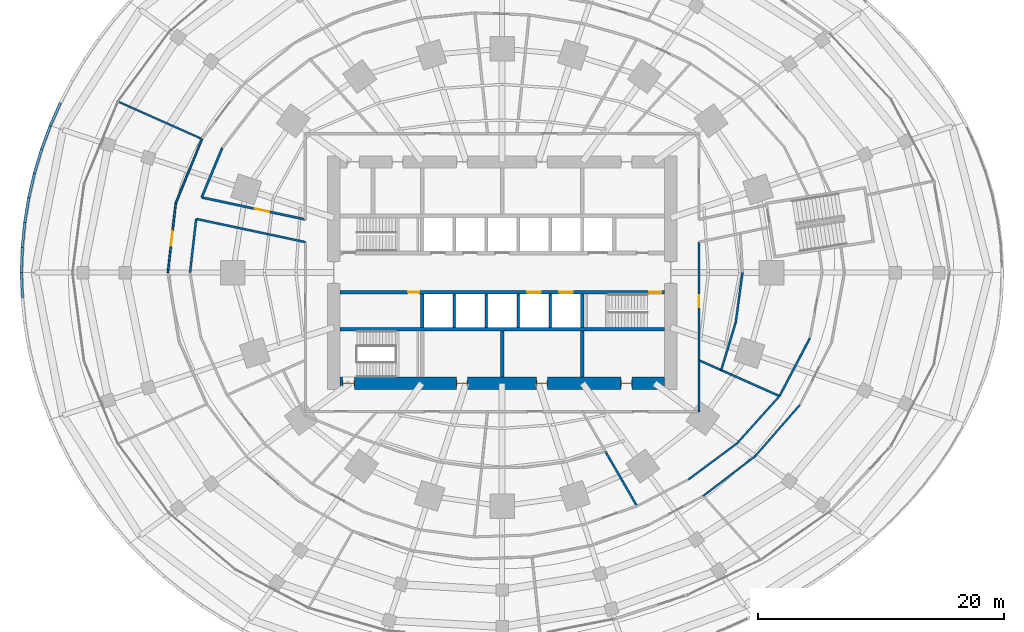
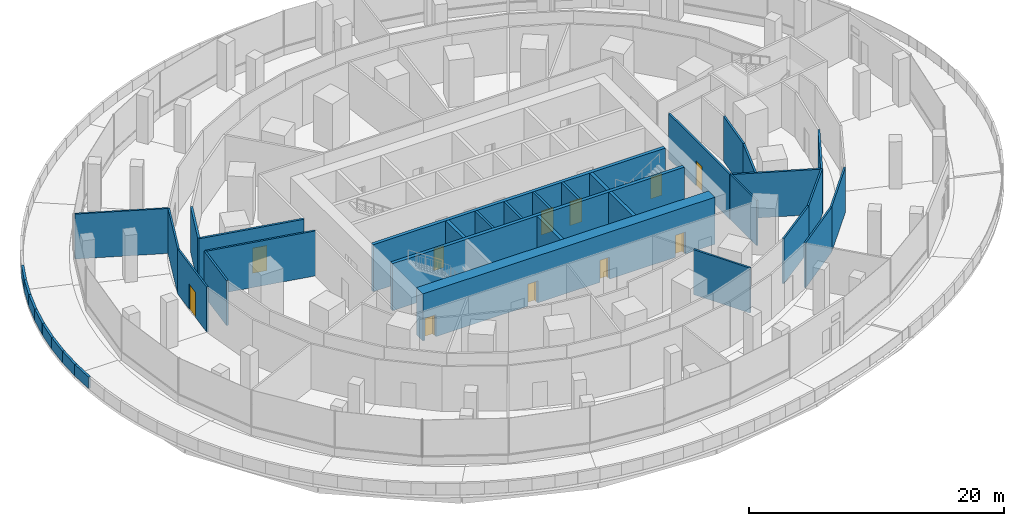
# One storey, part 20 of 27: 37 walls, 11 doors, 11 openings.
"""IFC4 building model written with IfcOpenShell, lengths in metres."""

from ifc_helpers import new_model, si_unit, direction, frame, frame_2d, origin, place, context, subcontext, project, spatial, rectangle, extrude, material, layer, layer_set, type_object, element, fill, save


model = new_model("IFC4")

# Units and contexts
model_context = context("Model", 3, precision=1e-05, world=origin(), true_north=direction((0.0, 1.0)))
body_context = subcontext(model_context, "Body", "Model", "MODEL_VIEW")
ifc_project = project(units=[si_unit("LENGTHUNIT", "METRE"), si_unit("AREAUNIT", "SQUARE_METRE"), si_unit("VOLUMEUNIT", "CUBIC_METRE"), si_unit("PLANEANGLEUNIT", "RADIAN"), si_unit("MASSUNIT", "GRAM", prefix="KILO")], contexts=[model_context])

# Site, building, storey
site_placement = place(None, origin())
site = spatial("IfcSite", under=ifc_project, at=site_placement, CompositionType="ELEMENT")
building_placement = place(site_placement, origin())
building = spatial("IfcBuilding", under=site, at=building_placement, Name="Marramba Exchange Tower", CompositionType="ELEMENT")
storey_placement = place(building_placement, frame((0.0, 0.0, 10.60009765625)))
storey = spatial("IfcBuildingStorey", under=building, at=storey_placement, Name="L02", CompositionType="ELEMENT", Elevation=10.60009765625)

# Walls
ifc_material_1 = material(Name="Plasterboard on staggered double steel studs, acoustic insulation", Category="steel")
ifc_layer_1 = layer(ifc_material_1, 0.169921875)
ifc_layer_set_1 = layer_set([ifc_layer_1], Name="Acoustic partition 170")
wall_type_1 = type_object("IfcWallType", Name="Acoustic partition 170", PredefinedType="PARTITIONING", material=ifc_layer_set_1)
wall_1_placement = place(storey_placement, frame((10.9599609375, -18.983154296875, 0.0), z_axis=(0.0, 0.0, 1.0), x_axis=(-0.500001430823, 0.866024577697, 0.0)))
element("IfcWall", 1, at=wall_1_placement, inside=storey, type_object=wall_type_1, Name="Acoustic partition L02 39", PredefinedType="PARTITIONING", context=body_context, shape_type="SweptSolid", body=[
    extrude(rectangle(XDim=5.1259765625, YDim=0.169921875, at=frame_2d((2.56298828125, 0.0))), origin(), (0.0, 0.0, 1.0), 4.2998046875),
])
wall_2_placement = place(storey_placement, frame((16.0, -7.123779296875, 0.0), z_axis=(0.0, 0.0, 1.0), x_axis=(0.913552901279, -0.406719923982, 0.0)))
element("IfcWall", 2, at=wall_2_placement, inside=storey, type_object=wall_type_1, Name="Acoustic partition L02 49", PredefinedType="PARTITIONING", context=body_context, shape_type="SweptSolid", body=[
    extrude(rectangle(XDim=7.167236328125, YDim=0.169921875, at=frame_2d((3.58349609375, 0.0))), origin(), (0.0, 0.0, 1.0), 4.2998046875),
])
wall_3_placement = place(storey_placement, frame((18.989990234375, -4.03662109375, 0.0), z_axis=(0.0, 0.0, 1.0), x_axis=(-0.290562074662, -0.956856144239, 0.0)))
element("IfcWall", 3, at=wall_3_placement, inside=storey, type_object=wall_type_1, Name="Acoustic partition L02 50", PredefinedType="PARTITIONING", context=body_context, shape_type="SweptSolid", body=[
    extrude(rectangle(XDim=4.067626953125, YDim=0.169921875, at=frame_2d((2.03369140625, 0.0))), origin(), (0.0, 0.0, 1.0), 4.2998046875),
])
wall_4_placement = place(storey_placement, frame((25.022216796875, -5.318603515625, 0.0), z_axis=(0.0, 0.0, 1.0), x_axis=(-0.464318498757, -0.885668296662, 0.0)))
element("IfcWall", 4, at=wall_4_placement, inside=storey, type_object=wall_type_1, Name="Acoustic partition L02 52", PredefinedType="PARTITIONING", context=body_context, shape_type="SweptSolid", body=[
    extrude(rectangle(XDim=5.32958984375, YDim=0.169921875, at=frame_2d((2.664794921875, 0.0))), origin(), (0.0, 0.0, 1.0), 4.2998046875),
])

# Wall, opening, door
wall_5_placement = place(storey_placement, frame((16.0, -7.123779296875, 0.0), z_axis=(0.0, 0.0, 1.0), x_axis=(0.0, 1.0, 0.0)))
wall_5 = element("IfcWall", 5, at=wall_5_placement, inside=storey, type_object=wall_type_1, Name="Acoustic partition L02 53", PredefinedType="PARTITIONING", context=body_context, shape_type="SweptSolid", body=[
    extrude(rectangle(XDim=9.6044921875, YDim=0.169921875, at=frame_2d((4.80224609375, 0.0))), origin(), (0.0, 0.0, 1.0), 4.2998046875),
])
opening_1_placement = place(wall_5_placement, frame((4.302001953125, 0.0, 0.0)))
opening_1 = element("IfcOpeningElement", 6, at=opening_1_placement, cuts=wall_5, Name="Opening D9", PredefinedType="OPENING", context=body_context, shape_type="SweptSolid", body=[
    extrude(rectangle(XDim=1.0, YDim=2.39990234375, at=frame_2d((0.5, 1.199951171875))), frame((0.0, 0.094970703125, 0.0), z_axis=(0.0, -1.0, 0.0), x_axis=(1.0, 0.0, 0.0)), (0.0, 0.0, 1.0), 0.18994140625),
])
ifc_material_2 = material(Name="Timber door", Category="wood")
door_type_1 = type_object("IfcDoorType", Name="Room door 1000x2400", OperationType="SINGLE_SWING_LEFT", PredefinedType="DOOR", material=ifc_material_2)
door_1_placement = place(opening_1_placement, frame((1.0, 0.0, 0.0), z_axis=(0.0, 0.0, 1.0), x_axis=(-1.0, 0.0, 0.0)))
door_1 = element("IfcDoor", 7, at=door_1_placement, inside=storey, type_object=door_type_1, Name="D9 Interview Room L02", OperationType="SINGLE_SWING_LEFT", OverallHeight=2.39990234375, OverallWidth=1.0, PredefinedType="DOOR", context=body_context, shape_type="SweptSolid", body=[
    extrude(rectangle(XDim=1.0, YDim=2.39990234375, at=frame_2d((0.5, 1.199951171875))), frame((0.0, 0.025146484375, 0.0), z_axis=(0.0, -1.0, 0.0), x_axis=(1.0, 0.0, 0.0)), (0.0, 0.0, 1.0), 0.050048828125),
])
fill(opening_1, door_1)

# Walls
wall_6_placement = place(storey_placement, frame((19.5400390625, 0.0, 0.0), z_axis=(0.0, 0.0, 1.0), x_axis=(-0.135016930919, -0.990843291528, 0.0)))
element("IfcWall", 8, at=wall_6_placement, inside=storey, type_object=wall_type_1, Name="Acoustic partition L02 54", PredefinedType="PARTITIONING", context=body_context, shape_type="SweptSolid", body=[
    extrude(rectangle(XDim=4.073974609375, YDim=0.169921875, at=frame_2d((2.037109375, 0.0))), origin(), (0.0, 0.0, 1.0), 4.2998046875),
])
wall_7_placement = place(storey_placement, frame((-24.87841796875, 4.367919921875, 0.0), z_axis=(0.0, 0.0, 1.0), x_axis=(0.978146681327, -0.207916016242, 0.0)))
element("IfcWall", 9, at=wall_7_placement, inside=storey, type_object=wall_type_1, Name="Acoustic partition L02 105", PredefinedType="PARTITIONING", context=body_context, shape_type="SweptSolid", body=[
    extrude(rectangle(XDim=9.07666015625, YDim=0.169921875, at=frame_2d((4.538330078125, 0.0))), origin(), (0.0, 0.0, 1.0), 4.2998046875),
])
wall_8_placement = place(storey_placement, frame((-25.375, 0.0, 0.0), z_axis=(0.0, 0.0, 1.0), x_axis=(0.112960777867, 0.993599447798, 0.0)))
element("IfcWall", 10, at=wall_8_placement, inside=storey, type_object=wall_type_1, Name="Acoustic partition L02 107", PredefinedType="PARTITIONING", context=body_context, shape_type="SweptSolid", body=[
    extrude(rectangle(XDim=4.39599609375, YDim=0.169921875, at=frame_2d((2.197998046875, 0.0))), origin(), (0.0, 0.0, 1.0), 4.2998046875),
])
ifc_material_3 = material(Name="Concrete N50", Category="concrete")
ifc_layer_2 = layer(ifc_material_3, 0.199951171875)
ifc_layer_set_2 = layer_set([ifc_layer_2], Name="Core shaft wall 200")
wall_type_2 = type_object("IfcWallType", Name="Core shaft wall 200", PredefinedType="SHEAR", material=ifc_layer_set_2)
for number, where, z_axis, x_axis, name in (
    (11, (-3.89990234375, -1.75, 0.0), (0.0, 0.0, 1.0), (0.0, -1.0, 0.0), "Core wall SHS1 L02"),
    (12, (-1.300048828125, -1.75, 0.0), (0.0, 0.0, 1.0), (0.0, -1.0, 0.0), "Core wall SHS2 L02"),
    (13, (1.300048828125, -1.75, 0.0), (0.0, 0.0, 1.0), (0.0, -1.0, 0.0), "Core wall SHS3 L02"),
    (14, (3.89990234375, -1.75, 0.0), (0.0, 0.0, 1.0), (0.0, -1.0, 0.0), "Core wall SHS4 L02"),
):
    element("IfcWall", number, at=place(storey_placement, frame(where, z_axis=z_axis, x_axis=x_axis)), inside=storey, type_object=wall_type_2, Name=name, PredefinedType="SHEAR", context=body_context, shape_type="SweptSolid", body=[
        extrude(rectangle(XDim=2.699951171875, YDim=0.199951171875, at=frame_2d((1.35009765625, 0.0))), origin(), (0.0, 0.0, 1.0), 4.5),
    ])

# Wall, openings, doors
ifc_layer_3 = layer(ifc_material_3, 1.0)
ifc_layer_set_3 = layer_set([ifc_layer_3], Name="Core wall 1000")
wall_type_3 = type_object("IfcWallType", Name="Core wall 1000", PredefinedType="SHEAR", material=ifc_layer_set_3)
wall_9_placement = place(storey_placement, frame((-13.199951171875, -9.0, 0.0), z_axis=(0.0, 0.0, 1.0), x_axis=(1.0, 0.0, 0.0)))
wall_9 = element("IfcWall", 15, at=wall_9_placement, inside=storey, type_object=wall_type_3, Name="Core wall S L02", PredefinedType="SHEAR", context=body_context, shape_type="SweptSolid", body=[
    extrude(rectangle(XDim=26.39990234375, YDim=1.0, at=frame_2d((13.199951171875, 0.0))), origin(), (0.0, 0.0, 1.0), 4.5),
])
opening_2_placement = place(wall_9_placement, frame((0.199951171875, 0.0, 0.0)))
opening_2 = element("IfcOpeningElement", 16, at=opening_2_placement, cuts=wall_9, Name="Opening D2", PredefinedType="OPENING", context=body_context, shape_type="SweptSolid", body=[
    extrude(rectangle(XDim=1.0, YDim=2.10009765625, at=frame_2d((0.5, 1.050048828125))), frame((0.0, 0.510009765625, 0.0), z_axis=(0.0, -1.0, 0.0), x_axis=(1.0, 0.0, 0.0)), (0.0, 0.0, 1.0), 1.02001953125),
])
opening_3_placement = place(wall_9_placement, frame((9.5, 0.0, 0.0)))
opening_3 = element("IfcOpeningElement", 17, at=opening_3_placement, cuts=wall_9, Name="Opening D5", PredefinedType="OPENING", context=body_context, shape_type="SweptSolid", body=[
    extrude(rectangle(XDim=0.89990234375, YDim=2.10009765625, at=frame_2d((0.449951171875, 1.050048828125))), frame((0.0, 0.510009765625, 0.0), z_axis=(0.0, -1.0, 0.0), x_axis=(1.0, 0.0, 0.0)), (0.0, 0.0, 1.0), 1.02001953125),
])
opening_4_placement = place(wall_9_placement, frame((16.0, 0.0, 0.0)))
opening_4 = element("IfcOpeningElement", 18, at=opening_4_placement, cuts=wall_9, Name="Opening D5", PredefinedType="OPENING", context=body_context, shape_type="SweptSolid", body=[
    extrude(rectangle(XDim=0.89990234375, YDim=2.10009765625, at=frame_2d((0.449951171875, 1.050048828125))), frame((0.0, 0.510009765625, 0.0), z_axis=(0.0, -1.0, 0.0), x_axis=(1.0, 0.0, 0.0)), (0.0, 0.0, 1.0), 1.02001953125),
])
opening_5_placement = place(wall_9_placement, frame((22.85009765625, 0.0, 0.0)))
opening_5 = element("IfcOpeningElement", 19, at=opening_5_placement, cuts=wall_9, Name="Opening D5", PredefinedType="OPENING", context=body_context, shape_type="SweptSolid", body=[
    extrude(rectangle(XDim=0.89990234375, YDim=2.10009765625, at=frame_2d((0.449951171875, 1.050048828125))), frame((0.0, 0.510009765625, 0.0), z_axis=(0.0, -1.0, 0.0), x_axis=(1.0, 0.0, 0.0)), (0.0, 0.0, 1.0), 1.02001953125),
])
ifc_material_4 = material(Name="Steel-framed door", Category="steel")
door_type_2 = type_object("IfcDoorType", Name="Service door 900x2100", OperationType="SINGLE_SWING_LEFT", PredefinedType="DOOR", material=ifc_material_4)
door_2_placement = place(opening_3_placement, origin())
door_2 = element("IfcDoor", 20, at=door_2_placement, inside=storey, type_object=door_type_2, Name="D5 ahu L02", OperationType="SINGLE_SWING_RIGHT", OverallHeight=2.10009765625, OverallWidth=0.89990234375, PredefinedType="DOOR", context=body_context, shape_type="SweptSolid", body=[
    extrude(rectangle(XDim=0.81982421875, YDim=2.06005859375, at=frame_2d((0.449951171875, 1.030029296875))), frame((0.0, 0.02490234375, 0.0), z_axis=(0.0, -1.0, 0.0), x_axis=(1.0, 0.0, 0.0)), (0.0, 0.0, 1.0), 0.050048828125),
    extrude(rectangle(XDim=0.04, YDim=2.10009765625, at=frame_2d((0.02001953125, 1.050048828125))), frame((0.0, 0.25, 0.0), z_axis=(0.0, -1.0, 0.0), x_axis=(1.0, 0.0, 0.0)), (0.0, 0.0, 1.0), 0.5),
    extrude(rectangle(XDim=0.04, YDim=2.10009765625, at=frame_2d((0.8798828125, 1.050048828125))), frame((0.0, 0.25, 0.0), z_axis=(0.0, -1.0, 0.0), x_axis=(1.0, 0.0, 0.0)), (0.0, 0.0, 1.0), 0.5),
    extrude(rectangle(XDim=0.81982421875, YDim=0.04, at=frame_2d((0.449951171875, 2.080078125))), frame((0.0, 0.25, 0.0), z_axis=(0.0, -1.0, 0.0), x_axis=(1.0, 0.0, 0.0)), (0.0, 0.0, 1.0), 0.5),
])
fill(opening_3, door_2)
door_3_placement = place(opening_4_placement, origin())
door_3 = element("IfcDoor", 21, at=door_3_placement, inside=storey, type_object=door_type_2, Name="D5 switch L02", OperationType="SINGLE_SWING_RIGHT", OverallHeight=2.10009765625, OverallWidth=0.89990234375, PredefinedType="DOOR", context=body_context, shape_type="SweptSolid", body=[
    extrude(rectangle(XDim=0.81982421875, YDim=2.06005859375, at=frame_2d((0.449951171875, 1.030029296875))), frame((0.0, 0.02490234375, 0.0), z_axis=(0.0, -1.0, 0.0), x_axis=(1.0, 0.0, 0.0)), (0.0, 0.0, 1.0), 0.050048828125),
    extrude(rectangle(XDim=0.04, YDim=2.10009765625, at=frame_2d((0.02001953125, 1.050048828125))), frame((0.0, 0.25, 0.0), z_axis=(0.0, -1.0, 0.0), x_axis=(1.0, 0.0, 0.0)), (0.0, 0.0, 1.0), 0.5),
    extrude(rectangle(XDim=0.04, YDim=2.10009765625, at=frame_2d((0.8798828125, 1.050048828125))), frame((0.0, 0.25, 0.0), z_axis=(0.0, -1.0, 0.0), x_axis=(1.0, 0.0, 0.0)), (0.0, 0.0, 1.0), 0.5),
    extrude(rectangle(XDim=0.81982421875, YDim=0.04, at=frame_2d((0.449951171875, 2.080078125))), frame((0.0, 0.25, 0.0), z_axis=(0.0, -1.0, 0.0), x_axis=(1.0, 0.0, 0.0)), (0.0, 0.0, 1.0), 0.5),
])
fill(opening_4, door_3)
door_4_placement = place(opening_5_placement, origin())
door_4 = element("IfcDoor", 22, at=door_4_placement, inside=storey, type_object=door_type_2, Name="D5 cstore L02", OperationType="SINGLE_SWING_RIGHT", OverallHeight=2.10009765625, OverallWidth=0.89990234375, PredefinedType="DOOR", context=body_context, shape_type="SweptSolid", body=[
    extrude(rectangle(XDim=0.81982421875, YDim=2.06005859375, at=frame_2d((0.449951171875, 1.030029296875))), frame((0.0, 0.02490234375, 0.0), z_axis=(0.0, -1.0, 0.0), x_axis=(1.0, 0.0, 0.0)), (0.0, 0.0, 1.0), 0.050048828125),
    extrude(rectangle(XDim=0.04, YDim=2.10009765625, at=frame_2d((0.02001953125, 1.050048828125))), frame((0.0, 0.25, 0.0), z_axis=(0.0, -1.0, 0.0), x_axis=(1.0, 0.0, 0.0)), (0.0, 0.0, 1.0), 0.5),
    extrude(rectangle(XDim=0.04, YDim=2.10009765625, at=frame_2d((0.8798828125, 1.050048828125))), frame((0.0, 0.25, 0.0), z_axis=(0.0, -1.0, 0.0), x_axis=(1.0, 0.0, 0.0)), (0.0, 0.0, 1.0), 0.5),
    extrude(rectangle(XDim=0.81982421875, YDim=0.04, at=frame_2d((0.449951171875, 2.080078125))), frame((0.0, 0.25, 0.0), z_axis=(0.0, -1.0, 0.0), x_axis=(1.0, 0.0, 0.0)), (0.0, 0.0, 1.0), 0.5),
])
fill(opening_5, door_4)
door_type_3 = type_object("IfcDoorType", Name="Stair door 1000x2100", OperationType="SINGLE_SWING_LEFT", PredefinedType="DOOR", material=ifc_material_4)
door_5_placement = place(opening_2_placement, origin())
door_5 = element("IfcDoor", 23, at=door_5_placement, inside=storey, type_object=door_type_3, Name="D2 stair ST3 L02", OperationType="SINGLE_SWING_LEFT", OverallHeight=2.10009765625, OverallWidth=1.0, PredefinedType="DOOR", context=body_context, shape_type="SweptSolid", body=[
    extrude(rectangle(XDim=0.919921875, YDim=2.06005859375, at=frame_2d((0.5, 1.030029296875))), frame((0.0, 0.02490234375, 0.0), z_axis=(0.0, -1.0, 0.0), x_axis=(1.0, 0.0, 0.0)), (0.0, 0.0, 1.0), 0.050048828125),
    extrude(rectangle(XDim=0.04, YDim=2.10009765625, at=frame_2d((0.02001953125, 1.050048828125))), frame((0.0, 0.25, 0.0), z_axis=(0.0, -1.0, 0.0), x_axis=(1.0, 0.0, 0.0)), (0.0, 0.0, 1.0), 0.5),
    extrude(rectangle(XDim=0.04, YDim=2.10009765625, at=frame_2d((0.97998046875, 1.050048828125))), frame((0.0, 0.25, 0.0), z_axis=(0.0, -1.0, 0.0), x_axis=(1.0, 0.0, 0.0)), (0.0, 0.0, 1.0), 0.5),
    extrude(rectangle(XDim=0.919921875, YDim=0.04, at=frame_2d((0.5, 2.080078125))), frame((0.0, 0.25, 0.0), z_axis=(0.0, -1.0, 0.0), x_axis=(1.0, 0.0, 0.0)), (0.0, 0.0, 1.0), 0.5),
])
fill(opening_2, door_5)

ifc_layer_4 = layer(ifc_material_3, 0.300048828125)
ifc_layer_set_4 = layer_set([ifc_layer_4], Name="Core wall 300")
wall_type_4 = type_object("IfcWallType", Name="Core wall 300", PredefinedType="SHEAR", material=ifc_layer_set_4)
wall_10_placement = place(storey_placement, frame((-13.199951171875, -1.60009765625, 0.0), z_axis=(0.0, 0.0, 1.0), x_axis=(1.0, 0.0, 0.0)))
wall_10 = element("IfcWall", 24, at=wall_10_placement, inside=storey, type_object=wall_type_4, Name="Core wall LS L02", PredefinedType="SHEAR", context=body_context, shape_type="SweptSolid", body=[
    extrude(rectangle(XDim=26.39990234375, YDim=0.300048828125, at=frame_2d((13.199951171875, 0.0))), origin(), (0.0, 0.0, 1.0), 4.5),
])
opening_6_placement = place(wall_10_placement, frame((25.14990234375, 0.0, 0.0)))
opening_6 = element("IfcOpeningElement", 25, at=opening_6_placement, cuts=wall_10, Name="Opening D2", PredefinedType="OPENING", context=body_context, shape_type="SweptSolid", body=[
    extrude(rectangle(XDim=1.0, YDim=2.10009765625, at=frame_2d((0.5, 1.050048828125))), frame((0.0, 0.159912109375, 0.0), z_axis=(0.0, -1.0, 0.0), x_axis=(1.0, 0.0, 0.0)), (0.0, 0.0, 1.0), 0.320068359375),
])
opening_7_placement = place(wall_10_placement, frame((15.25, 0.0, 0.0)))
opening_7 = element("IfcOpeningElement", 26, at=opening_7_placement, cuts=wall_10, Name="Opening LD2", PredefinedType="OPENING", context=body_context, shape_type="SweptSolid", body=[
    extrude(rectangle(XDim=1.10009765625, YDim=2.300048828125, at=frame_2d((0.550048828125, 1.14990234375))), frame((0.0, 0.159912109375, 0.0), z_axis=(0.0, -1.0, 0.0), x_axis=(1.0, 0.0, 0.0)), (0.0, 0.0, 1.0), 0.320068359375),
])
opening_8_placement = place(wall_10_placement, frame((17.85009765625, 0.0, 0.0)))
opening_8 = element("IfcOpeningElement", 27, at=opening_8_placement, cuts=wall_10, Name="Opening LD2", PredefinedType="OPENING", context=body_context, shape_type="SweptSolid", body=[
    extrude(rectangle(XDim=1.10009765625, YDim=2.300048828125, at=frame_2d((0.550048828125, 1.14990234375))), frame((0.0, 0.159912109375, 0.0), z_axis=(0.0, -1.0, 0.0), x_axis=(1.0, 0.0, 0.0)), (0.0, 0.0, 1.0), 0.320068359375),
])
opening_9_placement = place(wall_10_placement, frame((5.550048828125, 0.0, 0.0)))
opening_9 = element("IfcOpeningElement", 28, at=opening_9_placement, cuts=wall_10, Name="Opening D5", PredefinedType="OPENING", context=body_context, shape_type="SweptSolid", body=[
    extrude(rectangle(XDim=0.89990234375, YDim=2.10009765625, at=frame_2d((0.449951171875, 1.050048828125))), frame((0.0, 0.159912109375, 0.0), z_axis=(0.0, -1.0, 0.0), x_axis=(1.0, 0.0, 0.0)), (0.0, 0.0, 1.0), 0.320068359375),
])
door_type_4 = type_object("IfcDoorType", Name="Emergency lift landing door 1100x2300", OperationType="SLIDING_TO_LEFT", PredefinedType="DOOR", material=ifc_material_4)
door_6_placement = place(opening_7_placement, frame((1.10009765625, 0.0, 0.0), z_axis=(0.0, 0.0, 1.0), x_axis=(-1.0, 0.0, 0.0)))
door_6 = element("IfcDoor", 29, at=door_6_placement, inside=storey, type_object=door_type_4, Name="FL1 landing door L02", OperationType="SLIDING_TO_RIGHT", OverallHeight=2.300048828125, OverallWidth=1.10009765625, PredefinedType="DOOR", context=body_context, shape_type="SweptSolid", body=[
    extrude(rectangle(XDim=1.10009765625, YDim=2.300048828125, at=frame_2d((0.550048828125, 1.14990234375))), frame((0.0, 0.025146484375, 0.0), z_axis=(0.0, -1.0, 0.0), x_axis=(1.0, 0.0, 0.0)), (0.0, 0.0, 1.0), 0.050048828125),
])
fill(opening_7, door_6)
door_7_placement = place(opening_8_placement, frame((1.10009765625, 0.0, 0.0), z_axis=(0.0, 0.0, 1.0), x_axis=(-1.0, 0.0, 0.0)))
door_7 = element("IfcDoor", 30, at=door_7_placement, inside=storey, type_object=door_type_4, Name="FL2 landing door L02", OperationType="SLIDING_TO_LEFT", OverallHeight=2.300048828125, OverallWidth=1.10009765625, PredefinedType="DOOR", context=body_context, shape_type="SweptSolid", body=[
    extrude(rectangle(XDim=1.10009765625, YDim=2.300048828125, at=frame_2d((0.550048828125, 1.14990234375))), frame((0.0, 0.025146484375, 0.0), z_axis=(0.0, -1.0, 0.0), x_axis=(1.0, 0.0, 0.0)), (0.0, 0.0, 1.0), 0.050048828125),
])
fill(opening_8, door_7)
door_8_placement = place(opening_9_placement, frame((0.89990234375, 0.0, 0.0), z_axis=(0.0, 0.0, 1.0), x_axis=(-1.0, 0.0, 0.0)))
door_8 = element("IfcDoor", 31, at=door_8_placement, inside=storey, type_object=door_type_2, Name="D5 electrical riser L02", OperationType="SINGLE_SWING_LEFT", OverallHeight=2.10009765625, OverallWidth=0.89990234375, PredefinedType="DOOR", context=body_context, shape_type="SweptSolid", body=[
    extrude(rectangle(XDim=0.89990234375, YDim=2.10009765625, at=frame_2d((0.449951171875, 1.050048828125))), frame((0.0, 0.025146484375, 0.0), z_axis=(0.0, -1.0, 0.0), x_axis=(1.0, 0.0, 0.0)), (0.0, 0.0, 1.0), 0.050048828125),
])
fill(opening_9, door_8)
door_9_placement = place(opening_6_placement, frame((1.0, 0.0, 0.0), z_axis=(0.0, 0.0, 1.0), x_axis=(-1.0, 0.0, 0.0)))
door_9 = element("IfcDoor", 32, at=door_9_placement, inside=storey, type_object=door_type_3, Name="D2 stair ST2 L02", OperationType="SINGLE_SWING_LEFT", OverallHeight=2.10009765625, OverallWidth=1.0, PredefinedType="DOOR", context=body_context, shape_type="SweptSolid", body=[
    extrude(rectangle(XDim=1.0, YDim=2.10009765625, at=frame_2d((0.5, 1.050048828125))), frame((0.0, 0.025146484375, 0.0), z_axis=(0.0, -1.0, 0.0), x_axis=(1.0, 0.0, 0.0)), (0.0, 0.0, 1.0), 0.050048828125),
])
fill(opening_6, door_9)

# Walls
wall_11_placement = place(storey_placement, frame((-13.199951171875, -4.60009765625, 0.0), z_axis=(0.0, 0.0, 1.0), x_axis=(1.0, 0.0, 0.0)))
element("IfcWall", 33, at=wall_11_placement, inside=storey, type_object=wall_type_4, Name="Core wall BS L02", PredefinedType="SHEAR", context=body_context, shape_type="SweptSolid", body=[
    extrude(rectangle(XDim=26.39990234375, YDim=0.300048828125, at=frame_2d((13.199951171875, 0.0))), origin(), (0.0, 0.0, 1.0), 4.5),
])
for number, where, z_axis, x_axis, name in (
    (34, (-6.5, -1.75, 0.0), (0.0, 0.0, 1.0), (0.0, -1.0, 0.0), "Core wall X0Sa L02"),
    (35, (6.5, -1.75, 0.0), (0.0, 0.0, 1.0), (0.0, -1.0, 0.0), "Core wall X1Sa L02"),
):
    element("IfcWall", number, at=place(storey_placement, frame(where, z_axis=z_axis, x_axis=x_axis)), inside=storey, type_object=wall_type_4, Name=name, PredefinedType="SHEAR", context=body_context, shape_type="SweptSolid", body=[
        extrude(rectangle(XDim=2.699951171875, YDim=0.300048828125, at=frame_2d((1.35009765625, 0.0))), origin(), (0.0, 0.0, 1.0), 4.5),
    ])
for number, where, z_axis, x_axis, name in (
    (36, (6.5, -4.75, 0.0), (0.0, 0.0, 1.0), (0.0, -1.0, 0.0), "Core wall X1Sb L02"),
    (37, (0.0, -4.75, 0.0), (0.0, 0.0, 1.0), (0.0, -1.0, 0.0), "Core wall MS L02"),
):
    element("IfcWall", number, at=place(storey_placement, frame(where, z_axis=z_axis, x_axis=x_axis)), inside=storey, type_object=wall_type_4, Name=name, PredefinedType="SHEAR", context=body_context, shape_type="SweptSolid", body=[
        extrude(rectangle(XDim=3.75, YDim=0.300048828125, at=frame_2d((1.875, 0.0))), origin(), (0.0, 0.0, 1.0), 4.5),
    ])
ifc_material_5 = material(Name="Core-filled concrete blockwork, rendered", Category="masonry")
ifc_layer_5 = layer(ifc_material_5, 0.18994140625)
ifc_layer_set_5 = layer_set([ifc_layer_5], Name="Equipment room wall 190")
wall_type_5 = type_object("IfcWallType", Name="Equipment room wall 190", PredefinedType="SOLIDWALL", material=ifc_layer_set_5)
wall_12_placement = place(storey_placement, frame((-24.426025390625, 6.112060546875, 0.0), z_axis=(0.0, 0.0, 1.0), x_axis=(0.382639109324, 0.92389789047, 0.0)))
element("IfcWall", 38, at=wall_12_placement, inside=storey, type_object=wall_type_5, Name="Equipment room wall L02 102", PredefinedType="SOLIDWALL", context=body_context, shape_type="SweptSolid", body=[
    extrude(rectangle(XDim=4.352783203125, YDim=0.18994140625, at=frame_2d((2.17626953125, 0.0))), origin(), (0.0, 0.0, 1.0), 4.2998046875),
])

# Wall, opening, door
wall_13_placement = place(storey_placement, frame((-16.0, 4.321044921875, 0.0), z_axis=(0.0, 0.0, 1.0), x_axis=(-0.978147396771, 0.207912650384, 0.0)))
wall_13 = element("IfcWall", 39, at=wall_13_placement, inside=storey, type_object=wall_type_5, Name="Equipment room wall L02 104", PredefinedType="SOLIDWALL", context=body_context, shape_type="SweptSolid", body=[
    extrude(rectangle(XDim=8.6142578125, YDim=0.18994140625, at=frame_2d((4.30712890625, 0.0))), origin(), (0.0, 0.0, 1.0), 4.2998046875),
])
opening_10_placement = place(wall_13_placement, frame((3.006103515625, 0.0, 0.0)))
opening_10 = element("IfcOpeningElement", 40, at=opening_10_placement, cuts=wall_13, Name="Opening D13", PredefinedType="OPENING", context=body_context, shape_type="SweptSolid", body=[
    extrude(rectangle(XDim=1.199951171875, YDim=2.39990234375, at=frame_2d((0.60009765625, 1.199951171875))), frame((0.0, 0.10498046875, 0.0), z_axis=(0.0, -1.0, 0.0), x_axis=(1.0, 0.0, 0.0)), (0.0, 0.0, 1.0), 0.2099609375),
])
door_type_5 = type_object("IfcDoorType", Name="Tenancy entry door 1200x2400", OperationType="SINGLE_SWING_LEFT", PredefinedType="DOOR", material=ifc_material_4)
door_10_placement = place(opening_10_placement, origin())
door_10 = element("IfcDoor", 41, at=door_10_placement, inside=storey, type_object=door_type_5, Name="D13 Data Room L02", OperationType="SINGLE_SWING_LEFT", OverallHeight=2.39990234375, OverallWidth=1.199951171875, PredefinedType="DOOR", context=body_context, shape_type="SweptSolid", body=[
    extrude(rectangle(XDim=1.199951171875, YDim=2.39990234375, at=frame_2d((0.60009765625, 1.199951171875))), frame((0.0, 0.02490234375, 0.0), z_axis=(0.0, -1.0, 0.0), x_axis=(1.0, 0.0, 0.0)), (0.0, 0.0, 1.0), 0.050048828125),
])
fill(opening_10, door_10)

# Walls
ifc_material_6 = material(Name="Concrete N40", Category="concrete")
ifc_layer_6 = layer(ifc_material_6, 0.199951171875)
ifc_layer_set_6 = layer_set([ifc_layer_6], Name="Roof parapet 200")
wall_type_6 = type_object("IfcWallType", Name="Roof parapet 200", PredefinedType="PARAPET", material=ifc_layer_set_6)
wall_14_placement = place(storey_placement, frame((-35.920166015625, 13.78857421875, 0.0), z_axis=(0.0, 0.0, 1.0), x_axis=(-0.404604937505, -0.914491577078, 0.0)))
element("IfcWall", 42, at=wall_14_placement, inside=storey, type_object=wall_type_6, Name="Parapet L02 bay 09", PredefinedType="PARAPET", context=body_context, shape_type="SweptSolid", body=[
    extrude(rectangle(XDim=2.0244140625, YDim=0.199951171875, at=frame_2d((1.01220703125, 0.0))), origin(), (0.0, 0.0, 1.0), 1.099853515625),
])
wall_15_placement = place(storey_placement, frame((-36.7392578125, 11.937255859375, 0.0), z_axis=(0.0, 0.0, 1.0), x_axis=(-0.3465466429, -0.93803274159, 0.0)))
element("IfcWall", 43, at=wall_15_placement, inside=storey, type_object=wall_type_6, Name="Parapet L02 bay 10", PredefinedType="PARAPET", context=body_context, shape_type="SweptSolid", body=[
    extrude(rectangle(XDim=2.0302734375, YDim=0.199951171875, at=frame_2d((1.01513671875, 0.0))), origin(), (0.0, 0.0, 1.0), 1.099853515625),
])
wall_16_placement = place(storey_placement, frame((-37.44287109375, 10.03271484375, 0.0), z_axis=(0.0, 0.0, 1.0), x_axis=(-0.28656644819, -0.958060369064, 0.0)))
element("IfcWall", 44, at=wall_16_placement, inside=storey, type_object=wall_type_6, Name="Parapet L02 bay 10", PredefinedType="PARAPET", context=body_context, shape_type="SweptSolid", body=[
    extrude(rectangle(XDim=2.035400390625, YDim=0.199951171875, at=frame_2d((1.017578125, 0.0))), origin(), (0.0, 0.0, 1.0), 1.099853515625),
])
wall_17_placement = place(storey_placement, frame((-38.026123046875, 8.082763671875, 0.0), z_axis=(0.0, 0.0, 1.0), x_axis=(-0.22466718367, -0.974435557942, 0.0)))
element("IfcWall", 45, at=wall_17_placement, inside=storey, type_object=wall_type_6, Name="Parapet L02 bay 10", PredefinedType="PARAPET", context=body_context, shape_type="SweptSolid", body=[
    extrude(rectangle(XDim=2.039794921875, YDim=0.199951171875, at=frame_2d((1.02001953125, 0.0))), origin(), (0.0, 0.0, 1.0), 1.099853515625),
])
wall_18_placement = place(storey_placement, frame((-38.484375, 6.09521484375, 0.0), z_axis=(0.0, 0.0, 1.0), x_axis=(-0.161607098234, -0.98685517975, 0.0)))
element("IfcWall", 46, at=wall_18_placement, inside=storey, type_object=wall_type_6, Name="Parapet L02 bay 10", PredefinedType="PARAPET", context=body_context, shape_type="SweptSolid", body=[
    extrude(rectangle(XDim=2.04248046875, YDim=0.199951171875, at=frame_2d((1.021240234375, 0.0))), origin(), (0.0, 0.0, 1.0), 1.099853515625),
])
wall_19_placement = place(storey_placement, frame((-38.814453125, 4.07958984375, 0.0), z_axis=(0.0, 0.0, 1.0), x_axis=(-0.097316329172, -0.995253501414, 0.0)))
element("IfcWall", 47, at=wall_19_placement, inside=storey, type_object=wall_type_6, Name="Parapet L02 bay 10", PredefinedType="PARAPET", context=body_context, shape_type="SweptSolid", body=[
    extrude(rectangle(XDim=2.044677734375, YDim=0.199951171875, at=frame_2d((1.0224609375, 0.0))), origin(), (0.0, 0.0, 1.0), 1.099853515625),
])
for number, where, z_axis, x_axis, name in (
    (48, (-39.013427734375, 2.044677734375, 0.0), (0.0, 0.0, 1.0), (-0.032579710485, -0.999469140326, 0.0), "Parapet L02 bay 10"),
    (49, (-39.080078125, 0.0, 0.0), (0.0, 0.0, 1.0), (0.032579710485, -0.999469140326, 0.0), "Parapet L02 bay 11"),
):
    element("IfcWall", number, at=place(storey_placement, frame(where, z_axis=z_axis, x_axis=x_axis)), inside=storey, type_object=wall_type_6, Name=name, PredefinedType="PARAPET", context=body_context, shape_type="SweptSolid", body=[
        extrude(rectangle(XDim=2.045654296875, YDim=0.199951171875, at=frame_2d((1.02294921875, 0.0))), origin(), (0.0, 0.0, 1.0), 1.099853515625),
    ])
ifc_material_7 = material(Name="Fire-rated plasterboard on steel studs, acoustic insulation", Category="steel")
ifc_layer_7 = layer(ifc_material_7, 0.14990234375)
ifc_layer_set_7 = layer_set([ifc_layer_7], Name="Tenancy wall 150")
wall_type_7 = type_object("IfcWallType", Name="Tenancy wall 150", PredefinedType="PARTITIONING", material=ifc_layer_set_7)
wall_20_placement = place(storey_placement, frame((16.34912109375, -18.15771484375, 0.0), z_axis=(0.0, 0.0, 1.0), x_axis=(0.793951005075, 0.607981744414, 0.0)))
element("IfcWall", 50, at=wall_20_placement, inside=storey, type_object=wall_type_7, Name="Tenancy wall L02 44", PredefinedType="PARTITIONING", context=body_context, shape_type="SweptSolid", body=[
    extrude(rectangle(XDim=5.2998046875, YDim=0.14990234375, at=frame_2d((2.64990234375, 0.0))), origin(), (0.0, 0.0, 1.0), 4.2998046875),
])
wall_21_placement = place(storey_placement, frame((19.1005859375, -13.87744140625, 0.0), z_axis=(0.0, 0.0, 1.0), x_axis=(-0.802376605187, -0.596818048862, 0.0)))
element("IfcWall", 51, at=wall_21_placement, inside=storey, type_object=wall_type_7, Name="Tenancy wall L02 45", PredefinedType="PARTITIONING", context=body_context, shape_type="SweptSolid", body=[
    extrude(rectangle(XDim=4.93017578125, YDim=0.14990234375, at=frame_2d((2.465087890625, 0.0))), origin(), (0.0, 0.0, 1.0), 4.2998046875),
])
wall_22_placement = place(storey_placement, frame((16.0, -11.300048828125, 0.0), z_axis=(0.0, 0.0, 1.0), x_axis=(0.0, 1.0, 0.0)))
element("IfcWall", 52, at=wall_22_placement, inside=storey, type_object=wall_type_7, Name="Tenancy wall L02 46", PredefinedType="PARTITIONING", context=body_context, shape_type="SweptSolid", body=[
    extrude(rectangle(XDim=4.17626953125, YDim=0.14990234375, at=frame_2d((2.088134765625, 0.0))), origin(), (0.0, 0.0, 1.0), 4.2998046875),
])
wall_23_placement = place(storey_placement, frame((20.556884765625, -14.935546875, 0.0), z_axis=(0.0, 0.0, 1.0), x_axis=(0.657584842261, 0.753380498307, 0.0)))
element("IfcWall", 53, at=wall_23_placement, inside=storey, type_object=wall_type_7, Name="Tenancy wall L02 47", PredefinedType="PARTITIONING", context=body_context, shape_type="SweptSolid", body=[
    extrude(rectangle(XDim=5.52783203125, YDim=0.14990234375, at=frame_2d((2.763916015625, 0.0))), origin(), (0.0, 0.0, 1.0), 4.2998046875),
])
wall_24_placement = place(storey_placement, frame((22.547607421875, -10.038818359375, 0.0), z_axis=(0.0, 0.0, 1.0), x_axis=(-0.668135531852, -0.744039589724, 0.0)))
element("IfcWall", 54, at=wall_24_placement, inside=storey, type_object=wall_type_7, Name="Tenancy wall L02 48", PredefinedType="PARTITIONING", context=body_context, shape_type="SweptSolid", body=[
    extrude(rectangle(XDim=5.1591796875, YDim=0.14990234375, at=frame_2d((2.57958984375, 0.0))), origin(), (0.0, 0.0, 1.0), 4.2998046875),
])
wall_25_placement = place(storey_placement, frame((-24.40478515625, 10.86572265625, 0.0), z_axis=(0.0, 0.0, 1.0), x_axis=(-0.913543256122, 0.406741587736, 0.0)))
element("IfcWall", 55, at=wall_25_placement, inside=storey, type_object=wall_type_7, Name="Tenancy wall L02 101", PredefinedType="PARTITIONING", context=body_context, shape_type="SweptSolid", body=[
    extrude(rectangle(XDim=7.39794921875, YDim=0.14990234375, at=frame_2d((3.698974609375, 0.0))), origin(), (0.0, 0.0, 1.0), 4.2998046875),
])
wall_26_placement = place(storey_placement, frame((-24.40478515625, 10.86572265625, 0.0), z_axis=(0.0, 0.0, 1.0), x_axis=(-0.377840993827, -0.925870500331, 0.0)))
element("IfcWall", 56, at=wall_26_placement, inside=storey, type_object=wall_type_7, Name="Tenancy wall L02 103", PredefinedType="PARTITIONING", context=body_context, shape_type="SweptSolid", body=[
    extrude(rectangle(XDim=5.6435546875, YDim=0.14990234375, at=frame_2d((2.82177734375, 0.0))), origin(), (0.0, 0.0, 1.0), 4.2998046875),
])

# Wall, opening, door
wall_27_placement = place(storey_placement, frame((-26.537109375, 5.640625, 0.0), z_axis=(0.0, 0.0, 1.0), x_axis=(-0.112380851228, -0.99366520734, 0.0)))
wall_27 = element("IfcWall", 57, at=wall_27_placement, inside=storey, type_object=wall_type_7, Name="Tenancy wall L02 106", PredefinedType="PARTITIONING", context=body_context, shape_type="SweptSolid", body=[
    extrude(rectangle(XDim=5.676513671875, YDim=0.14990234375, at=frame_2d((2.83837890625, 0.0))), origin(), (0.0, 0.0, 1.0), 4.2998046875),
])
opening_11_placement = place(wall_27_placement, frame((2.262939453125, 0.0, 0.0)))
opening_11 = element("IfcOpeningElement", 58, at=opening_11_placement, cuts=wall_27, Name="Opening D13", PredefinedType="OPENING", context=body_context, shape_type="SweptSolid", body=[
    extrude(rectangle(XDim=1.199951171875, YDim=2.39990234375, at=frame_2d((0.60009765625, 1.199951171875))), frame((0.0, 0.0849609375, 0.0), z_axis=(0.0, -1.0, 0.0), x_axis=(1.0, 0.0, 0.0)), (0.0, 0.0, 1.0), 0.169921875),
])
door_11_placement = place(opening_11_placement, origin())
door_11 = element("IfcDoor", 59, at=door_11_placement, inside=storey, type_object=door_type_5, Name="D13 Business Continuity Office L02", OperationType="SINGLE_SWING_RIGHT", OverallHeight=2.39990234375, OverallWidth=1.199951171875, PredefinedType="DOOR", context=body_context, shape_type="SweptSolid", body=[
    extrude(rectangle(XDim=1.199951171875, YDim=2.39990234375, at=frame_2d((0.60009765625, 1.199951171875))), frame((0.0, 0.02490234375, 0.0), z_axis=(0.0, -1.0, 0.0), x_axis=(1.0, 0.0, 0.0)), (0.0, 0.0, 1.0), 0.050048828125),
])
fill(opening_11, door_11)

save(model, "model.ifc")
